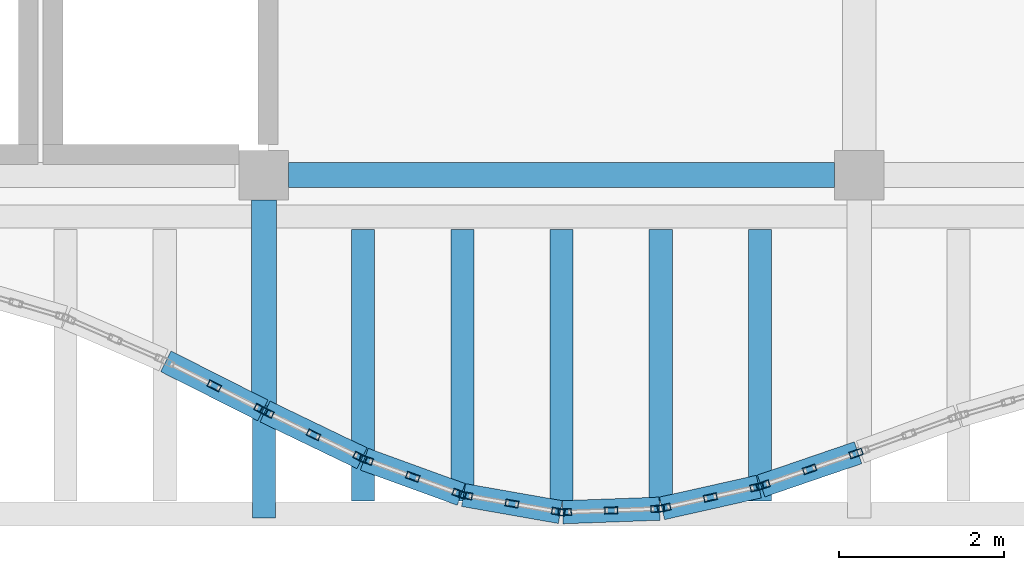
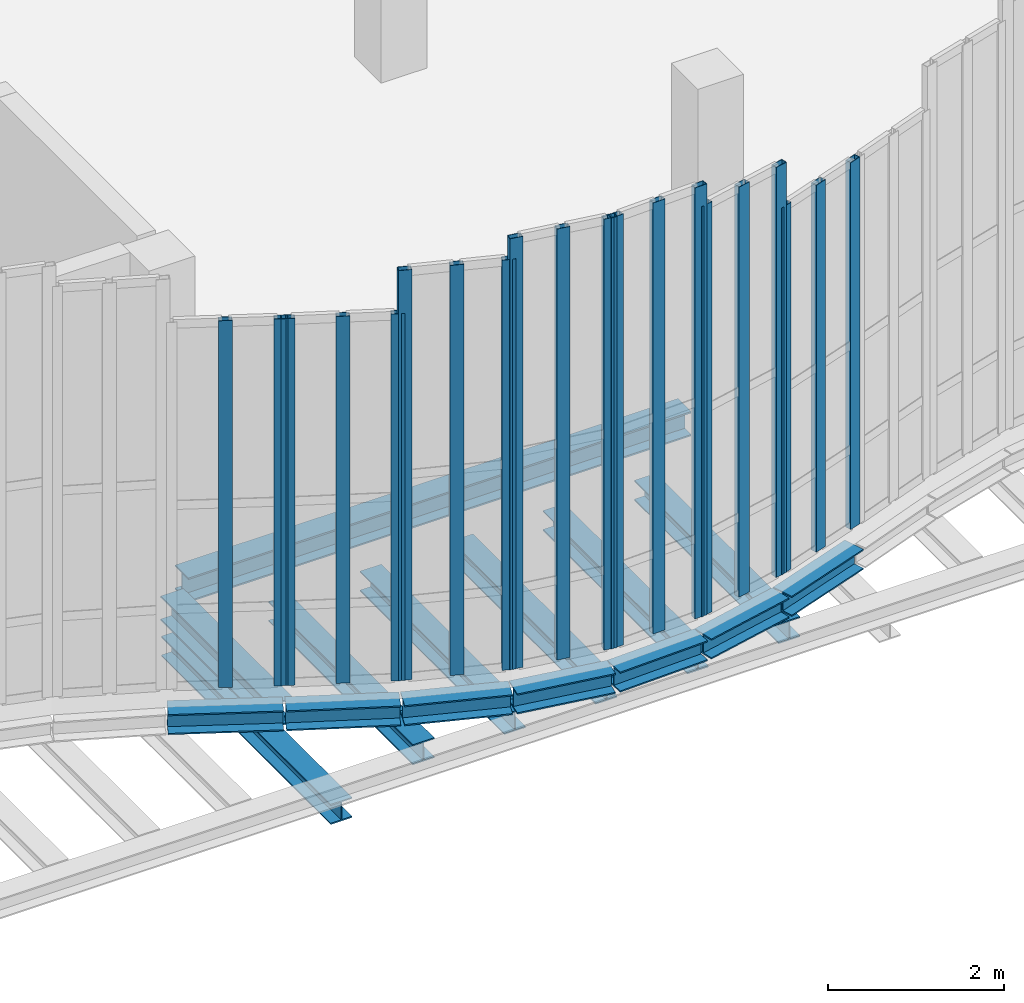
# One storey, part 15 of 76: 20 members, 15 beams, 7 elements without a shape of their own.
"""IFC4 building model written with IfcOpenShell, lengths in metres."""

from ifc_helpers import new_model, si_unit, direction, frame, origin, origin_2d, place, context, subcontext, project, spatial, hollow_rectangle, i_section, extrude, material, layer, layer_set, material_profile, profile_set, type_object, element, aggregate, save


model = new_model("IFC4")

# Units and contexts
model_context = context("Model", 3, precision=1e-05, world=origin(), true_north=direction((0.0, 1.0)))
body_context = subcontext(model_context, "Body", "Model", "MODEL_VIEW")
ifc_project = project(units=[si_unit("LENGTHUNIT", "METRE"), si_unit("AREAUNIT", "SQUARE_METRE"), si_unit("VOLUMEUNIT", "CUBIC_METRE"), si_unit("PLANEANGLEUNIT", "RADIAN"), si_unit("MASSUNIT", "GRAM", prefix="KILO"), si_unit("THERMODYNAMICTEMPERATUREUNIT", "KELVIN"), si_unit("POWERUNIT", "WATT")], contexts=[model_context])

# Site, building, storey
site_placement = place(None, origin())
site = spatial("IfcSite", under=ifc_project, at=site_placement, CompositionType="ELEMENT")
building_placement = place(site_placement, origin())
building = spatial("IfcBuilding", under=site, at=building_placement, Name="Kaldorven Railside Theatre", CompositionType="ELEMENT")
storey_placement = place(building_placement, frame((0.0, 0.0, 14.39990234375)))
storey = spatial("IfcBuildingStorey", under=building, at=storey_placement, Name="L03", CompositionType="ELEMENT", Elevation=14.39990234375)

# Beams
ifc_material_1 = material(Name="Steel S355", Category="steel")
ifc_material_profile_1 = material_profile(ifc_material_1, i_section(OverallWidth=0.280029296875, OverallDepth=0.280029296875, WebThickness=0.010498046875, FlangeThickness=0.01806640625, at=origin_2d()), Name="HEB 280")
ifc_profile_set_1 = profile_set([ifc_material_profile_1], Name="Steel S355")
beam_type_1 = type_object("IfcBeamType", Name="BM-HEB280", PredefinedType="SPANDREL", material=ifc_profile_set_1)
beam_1_placement = place(storey_placement, frame((72.800048828125, 15.050048828125, -0.97998046875), z_axis=(0.0, 1.0, 0.0), x_axis=(-1.0, 0.0, 0.0)))
element("IfcBeam", 1, at=beam_1_placement, inside=storey, type_object=beam_type_1, Name="L03 Sinusoidal Lower Cantilever Girder FOB-K031", PredefinedType="SPANDREL", context=body_context, shape_type="SweptSolid", body=[
    extrude(i_section(OverallWidth=0.280029296875, OverallDepth=0.280029296875, WebThickness=0.010498046875, FlangeThickness=0.01806640625, at=origin_2d()), origin(), (0.0, 0.0, 1.0), 3.849853515625),
])
beam_2_placement = place(storey_placement, frame((71.61328125, 16.947509765625, -0.419921875), z_axis=(0.89233799867, -0.451367805819, 0.0), x_axis=(0.451367805819, 0.89233799867, 0.0)))
element("IfcBeam", 2, at=beam_2_placement, inside=storey, type_object=beam_type_1, Name="L03 Sinusoidal Flute Edge Spandrel FSB-174", PredefinedType="SPANDREL", context=body_context, shape_type="SweptSolid", body=[
    extrude(i_section(OverallWidth=0.280029296875, OverallDepth=0.280029296875, WebThickness=0.010498046875, FlangeThickness=0.01806640625, at=origin_2d()), origin(), (0.0, 0.0, 1.0), 1.31494140625),
])
beam_3_placement = place(storey_placement, frame((72.8134765625, 16.3408203125, -0.419921875), z_axis=(0.900819751904, -0.434193245663, 0.0), x_axis=(0.434193245663, 0.900819751904, 0.0)))
element("IfcBeam", 3, at=beam_3_placement, inside=storey, type_object=beam_type_1, Name="L03 Sinusoidal Flute Edge Spandrel FSB-175", PredefinedType="SPANDREL", context=body_context, shape_type="SweptSolid", body=[
    extrude(i_section(OverallWidth=0.280029296875, OverallDepth=0.280029296875, WebThickness=0.010498046875, FlangeThickness=0.01806640625, at=origin_2d()), origin(), (0.0, 0.0, 1.0), 1.30224609375),
])
beam_4_placement = place(storey_placement, frame((74.01416015625, 15.763671875, -0.419921875), z_axis=(0.939736236854, -0.341900285382, 0.0), x_axis=(0.341900285382, 0.939736236854, 0.0)))
element("IfcBeam", 4, at=beam_4_placement, inside=storey, type_object=beam_type_1, Name="L03 Sinusoidal Flute Edge Spandrel FSB-176", PredefinedType="SPANDREL", context=body_context, shape_type="SweptSolid", body=[
    extrude(i_section(OverallWidth=0.280029296875, OverallDepth=0.280029296875, WebThickness=0.010498046875, FlangeThickness=0.01806640625, at=origin_2d()), origin(), (0.0, 0.0, 1.0), 1.246826171875),
])
beam_5_placement = place(storey_placement, frame((74.0, 15.260009765625, -0.699951171875), z_axis=(0.0, 1.0, 0.0), x_axis=(-1.0, 0.0, 0.0)))
element("IfcBeam", 5, at=beam_5_placement, inside=storey, type_object=beam_type_1, Name="L03 Sinusoidal Diaphragm Rib Outrigger FOB-M176", PredefinedType="SPANDREL", context=body_context, shape_type="SweptSolid", body=[
    extrude(i_section(OverallWidth=0.280029296875, OverallDepth=0.280029296875, WebThickness=0.010498046875, FlangeThickness=0.01806640625, at=origin_2d()), origin(), (0.0, 0.0, 1.0), 3.280029296875),
])
beam_6_placement = place(storey_placement, frame((75.21484375, 15.32958984375, -0.419921875), z_axis=(0.984888856029, -0.173187589827, 0.0), x_axis=(0.173187589827, 0.984888856029, 0.0)))
element("IfcBeam", 6, at=beam_6_placement, inside=storey, type_object=beam_type_1, Name="L03 Sinusoidal Flute Edge Spandrel FSB-177", PredefinedType="SPANDREL", context=body_context, shape_type="SweptSolid", body=[
    extrude(i_section(OverallWidth=0.280029296875, OverallDepth=0.280029296875, WebThickness=0.010498046875, FlangeThickness=0.01806640625, at=origin_2d()), origin(), (0.0, 0.0, 1.0), 1.1884765625),
])
beam_7_placement = place(storey_placement, frame((75.199951171875, 15.260009765625, -0.699951171875), z_axis=(0.0, 1.0, 0.0), x_axis=(-1.0, 0.0, 0.0)))
element("IfcBeam", 7, at=beam_7_placement, inside=storey, type_object=beam_type_1, Name="L03 Sinusoidal Diaphragm Rib Outrigger FOB-M177", PredefinedType="SPANDREL", context=body_context, shape_type="SweptSolid", body=[
    extrude(i_section(OverallWidth=0.280029296875, OverallDepth=0.280029296875, WebThickness=0.010498046875, FlangeThickness=0.01806640625, at=origin_2d()), origin(), (0.0, 0.0, 1.0), 3.280029296875),
])
beam_8_placement = place(storey_placement, frame((76.4150390625, 15.121826171875, -0.419921875), z_axis=(0.999318542443, 0.036911390236, 0.0), x_axis=(-0.036911390236, 0.999318542443, 0.0)))
element("IfcBeam", 8, at=beam_8_placement, inside=storey, type_object=beam_type_1, Name="L03 Sinusoidal Flute Edge Spandrel FSB-178", PredefinedType="SPANDREL", context=body_context, shape_type="SweptSolid", body=[
    extrude(i_section(OverallWidth=0.280029296875, OverallDepth=0.280029296875, WebThickness=0.010498046875, FlangeThickness=0.01806640625, at=origin_2d()), origin(), (0.0, 0.0, 1.0), 1.170654296875),
])
beam_9_placement = place(storey_placement, frame((76.39990234375, 15.260009765625, -0.699951171875), z_axis=(0.0, 1.0, 0.0), x_axis=(-1.0, 0.0, 0.0)))
element("IfcBeam", 9, at=beam_9_placement, inside=storey, type_object=beam_type_1, Name="L03 Sinusoidal Diaphragm Rib Outrigger FOB-M178", PredefinedType="SPANDREL", context=body_context, shape_type="SweptSolid", body=[
    extrude(i_section(OverallWidth=0.280029296875, OverallDepth=0.280029296875, WebThickness=0.010498046875, FlangeThickness=0.01806640625, at=origin_2d()), origin(), (0.0, 0.0, 1.0), 3.280029296875),
])
beam_10_placement = place(storey_placement, frame((77.614501953125, 15.1689453125, -0.419921875), z_axis=(0.975701165167, 0.219105536882, 0.0), x_axis=(-0.219105536882, 0.975701165167, 0.0)))
element("IfcBeam", 10, at=beam_10_placement, inside=storey, type_object=beam_type_1, Name="L03 Sinusoidal Flute Edge Spandrel FSB-179", PredefinedType="SPANDREL", context=body_context, shape_type="SweptSolid", body=[
    extrude(i_section(OverallWidth=0.280029296875, OverallDepth=0.280029296875, WebThickness=0.010498046875, FlangeThickness=0.01806640625, at=origin_2d()), origin(), (0.0, 0.0, 1.0), 1.199951171875),
])
beam_11_placement = place(storey_placement, frame((77.60009765625, 15.260009765625, -0.699951171875), z_axis=(0.0, 1.0, 0.0), x_axis=(-1.0, 0.0, 0.0)))
element("IfcBeam", 11, at=beam_11_placement, inside=storey, type_object=beam_type_1, Name="L03 Sinusoidal Diaphragm Rib Outrigger FOB-M179", PredefinedType="SPANDREL", context=body_context, shape_type="SweptSolid", body=[
    extrude(i_section(OverallWidth=0.280029296875, OverallDepth=0.280029296875, WebThickness=0.010498046875, FlangeThickness=0.01806640625, at=origin_2d()), origin(), (0.0, 0.0, 1.0), 3.280029296875),
])
beam_12_placement = place(storey_placement, frame((78.814208984375, 15.440185546875, -0.419921875), z_axis=(0.946028856663, 0.324082400574, 0.0), x_axis=(-0.324082400574, 0.946028856663, 0.0)))
element("IfcBeam", 12, at=beam_12_placement, inside=storey, type_object=beam_type_1, Name="L03 Sinusoidal Flute Edge Spandrel FSB-180", PredefinedType="SPANDREL", context=body_context, shape_type="SweptSolid", body=[
    extrude(i_section(OverallWidth=0.280029296875, OverallDepth=0.280029296875, WebThickness=0.010498046875, FlangeThickness=0.01806640625, at=origin_2d()), origin(), (0.0, 0.0, 1.0), 1.238525390625),
])
beam_13_placement = place(storey_placement, frame((78.800048828125, 15.260009765625, -0.699951171875), z_axis=(0.0, 1.0, 0.0), x_axis=(-1.0, 0.0, 0.0)))
element("IfcBeam", 13, at=beam_13_placement, inside=storey, type_object=beam_type_1, Name="L03 Sinusoidal Diaphragm Rib Outrigger FOB-M180", PredefinedType="SPANDREL", context=body_context, shape_type="SweptSolid", body=[
    extrude(i_section(OverallWidth=0.280029296875, OverallDepth=0.280029296875, WebThickness=0.010498046875, FlangeThickness=0.01806640625, at=origin_2d()), origin(), (0.0, 0.0, 1.0), 3.280029296875),
])
ifc_material_profile_2 = material_profile(ifc_material_1, i_section(OverallWidth=0.300048828125, OverallDepth=0.340087890625, WebThickness=0.011962890625, FlangeThickness=0.021484375, at=origin_2d()), Name="HEB 340")
ifc_profile_set_2 = profile_set([ifc_material_profile_2], Name="Steel S355")
beam_type_2 = type_object("IfcBeamType", Name="BM-HEB340", PredefinedType="SPANDREL", material=ifc_profile_set_2)
beam_14_placement = place(storey_placement, frame((73.10009765625, 19.199951171875, -0.449951171875), z_axis=(1.0, 0.0, 0.0), x_axis=(0.0, 1.0, 0.0)))
element("IfcBeam", 14, at=beam_14_placement, inside=storey, type_object=beam_type_2, Name="L03 Girder BGX-L03-072-019", PredefinedType="SPANDREL", context=body_context, shape_type="SweptSolid", body=[
    extrude(i_section(OverallWidth=0.300048828125, OverallDepth=0.340087890625, WebThickness=0.011962890625, FlangeThickness=0.021484375, at=origin_2d()), origin(), (0.0, 0.0, 1.0), 6.599853515625),
])
beam_15_placement = place(storey_placement, frame((72.800048828125, 16.4072265625, -0.449951171875), z_axis=(0.0, 1.0, 0.0), x_axis=(-1.0, 0.0, 0.0)))
element("IfcBeam", 15, at=beam_15_placement, inside=storey, type_object=beam_type_2, Name="L03 Sinusoidal Veil Outrigger FOB-3072", PredefinedType="SPANDREL", context=body_context, shape_type="SweptSolid", body=[
    extrude(i_section(OverallWidth=0.300048828125, OverallDepth=0.340087890625, WebThickness=0.011962890625, FlangeThickness=0.021484375, at=origin_2d()), origin(), (0.0, 0.0, 1.0), 2.49267578125),
])

# Curtain wall, members
ifc_material_2 = material(Name="Low-E laminated solar-control glass", Category="glass")
ifc_layer_1 = layer(ifc_material_2, 0.159912109375, Name="Low-E laminated solar-control glass")
ifc_layer_set_1 = layer_set([ifc_layer_1], Name="Low-E laminated solar-control glass")
curtain_wall_type_1 = type_object("IfcCurtainWallType", Name="CWT-13", PredefinedType="USERDEFINED", material=ifc_layer_set_1)
curtain_wall_1_placement = place(storey_placement, origin())
curtain_wall_1 = element("IfcCurtainWall", 16, at=curtain_wall_1_placement, inside=storey, type_object=curtain_wall_type_1, Name="Sinusoidal Fluted Curtain Wall CW-L03-S30", ObjectType="FLUTED GLAZING", PredefinedType="USERDEFINED")
ifc_material_3 = material(Name="Anodised bronze aluminium", Category="aluminium")
ifc_material_profile_3 = material_profile(ifc_material_3, hollow_rectangle(XDim=0.080078125, YDim=0.159912109375, WallThickness=0.00634765625, at=origin_2d()), Name="RHS 160x80x6.3")
ifc_profile_set_3 = profile_set([ifc_material_profile_3], Name="Anodised bronze aluminium")
member_type = type_object("IfcMemberType", Name="CWM-160", PredefinedType="MULLION", material=ifc_profile_set_3)
member_1_placement = place(storey_placement, frame((72.199951171875, 16.65087890625, 0.0), z_axis=(0.0, 0.0, 1.0), x_axis=(0.451432188451, 0.89230542934, 0.0)))
member_1 = element("IfcMember", 17, at=member_1_placement, type_object=member_type, Name="CW-L03-S30 mullion 2", PredefinedType="MULLION", context=body_context, shape_type="SweptSolid", body=[
    extrude(hollow_rectangle(XDim=0.080078125, YDim=0.159912109375, WallThickness=0.00634765625, at=origin_2d()), origin(), (0.0, 0.0, 1.0), 5.090087890625),
])
member_2_placement = place(storey_placement, frame((72.764404296875, 16.365478515625, 0.0), z_axis=(0.0, 0.0, 1.0), x_axis=(0.451432188451, 0.89230542934, 0.0)))
member_2 = element("IfcMember", 18, at=member_2_placement, type_object=member_type, Name="CW-L03-S30 mullion 3", PredefinedType="MULLION", context=body_context, shape_type="SweptSolid", body=[
    extrude(hollow_rectangle(XDim=0.080078125, YDim=0.159912109375, WallThickness=0.00634765625, at=origin_2d()), origin(), (0.0, 0.0, 1.0), 5.090087890625),
])
aggregate(curtain_wall_1, [member_1, member_2])

curtain_wall_2_placement = place(storey_placement, origin())
curtain_wall_2 = element("IfcCurtainWall", 19, at=curtain_wall_2_placement, inside=storey, type_object=curtain_wall_type_1, Name="Sinusoidal Fluted Curtain Wall CW-L03-S31", ObjectType="FLUTED GLAZING", PredefinedType="USERDEFINED")
member_3_placement = place(storey_placement, frame((72.8359375, 16.329833984375, 0.0), z_axis=(0.0, 0.0, 1.0), x_axis=(0.434255680006, 0.900789656015, 0.0)))
member_3 = element("IfcMember", 20, at=member_3_placement, type_object=member_type, Name="CW-L03-S31 mullion 1", PredefinedType="MULLION", context=body_context, shape_type="SweptSolid", body=[
    extrude(hollow_rectangle(XDim=0.080078125, YDim=0.159912109375, WallThickness=0.00634765625, at=origin_2d()), origin(), (0.0, 0.0, 1.0), 5.090087890625),
])
member_4_placement = place(storey_placement, frame((73.39990234375, 16.05810546875, 0.0), z_axis=(0.0, 0.0, 1.0), x_axis=(0.434255680006, 0.900789656015, 0.0)))
member_4 = element("IfcMember", 21, at=member_4_placement, type_object=member_type, Name="CW-L03-S31 mullion 2", PredefinedType="MULLION", context=body_context, shape_type="SweptSolid", body=[
    extrude(hollow_rectangle(XDim=0.080078125, YDim=0.159912109375, WallThickness=0.00634765625, at=origin_2d()), origin(), (0.0, 0.0, 1.0), 5.090087890625),
])
member_5_placement = place(storey_placement, frame((73.9638671875, 15.7861328125, 0.0), z_axis=(0.0, 0.0, 1.0), x_axis=(0.434255680006, 0.900789656015, 0.0)))
member_5 = element("IfcMember", 22, at=member_5_placement, type_object=member_type, Name="CW-L03-S31 mullion 3", PredefinedType="MULLION", context=body_context, shape_type="SweptSolid", body=[
    extrude(hollow_rectangle(XDim=0.080078125, YDim=0.159912109375, WallThickness=0.00634765625, at=origin_2d()), origin(), (0.0, 0.0, 1.0), 5.090087890625),
])
aggregate(curtain_wall_2, [member_3, member_4, member_5])

ifc_layer_2 = layer(ifc_material_2, 0.159912109375, Name="Low-E laminated solar-control glass")
ifc_layer_set_2 = layer_set([ifc_layer_2], Name="Low-E laminated solar-control glass")
curtain_wall_type_2 = type_object("IfcCurtainWallType", Name="CWT-14", PredefinedType="USERDEFINED", material=ifc_layer_set_2)
curtain_wall_3_placement = place(storey_placement, origin())
curtain_wall_3 = element("IfcCurtainWall", 23, at=curtain_wall_3_placement, inside=storey, type_object=curtain_wall_type_2, Name="Sinusoidal Fluted Curtain Wall CW-L03-S32", ObjectType="FLUTED GLAZING", PredefinedType="USERDEFINED")
member_6_placement = place(storey_placement, frame((74.03759765625, 15.755126953125, 0.0), z_axis=(0.0, 0.0, 1.0), x_axis=(0.341837380258, 0.939759120976, 0.0)))
member_6 = element("IfcMember", 24, at=member_6_placement, type_object=member_type, Name="CW-L03-S32 mullion 1", PredefinedType="MULLION", context=body_context, shape_type="SweptSolid", body=[
    extrude(hollow_rectangle(XDim=0.080078125, YDim=0.159912109375, WallThickness=0.00634765625, at=origin_2d()), origin(), (0.0, 0.0, 1.0), 5.690185546875),
])
member_7_placement = place(storey_placement, frame((74.60009765625, 15.550537109375, 0.0), z_axis=(0.0, 0.0, 1.0), x_axis=(0.341837380258, 0.939759120976, 0.0)))
member_7 = element("IfcMember", 25, at=member_7_placement, type_object=member_type, Name="CW-L03-S32 mullion 2", PredefinedType="MULLION", context=body_context, shape_type="SweptSolid", body=[
    extrude(hollow_rectangle(XDim=0.080078125, YDim=0.159912109375, WallThickness=0.00634765625, at=origin_2d()), origin(), (0.0, 0.0, 1.0), 5.690185546875),
])
member_8_placement = place(storey_placement, frame((75.162353515625, 15.345947265625, 0.0), z_axis=(0.0, 0.0, 1.0), x_axis=(0.341837380258, 0.939759120976, 0.0)))
member_8 = element("IfcMember", 26, at=member_8_placement, type_object=member_type, Name="CW-L03-S32 mullion 3", PredefinedType="MULLION", context=body_context, shape_type="SweptSolid", body=[
    extrude(hollow_rectangle(XDim=0.080078125, YDim=0.159912109375, WallThickness=0.00634765625, at=origin_2d()), origin(), (0.0, 0.0, 1.0), 5.690185546875),
])
aggregate(curtain_wall_3, [member_6, member_7, member_8])

ifc_layer_3 = layer(ifc_material_2, 0.159912109375, Name="Low-E laminated solar-control glass")
ifc_layer_set_3 = layer_set([ifc_layer_3], Name="Low-E laminated solar-control glass")
curtain_wall_type_3 = type_object("IfcCurtainWallType", Name="CWT-15", PredefinedType="USERDEFINED", material=ifc_layer_set_3)
curtain_wall_4_placement = place(storey_placement, origin())
curtain_wall_4 = element("IfcCurtainWall", 27, at=curtain_wall_4_placement, inside=storey, type_object=curtain_wall_type_3, Name="Sinusoidal Fluted Curtain Wall CW-L03-S33", ObjectType="FLUTED GLAZING", PredefinedType="USERDEFINED")
member_9_placement = place(storey_placement, frame((75.239501953125, 15.325439453125, 0.0), z_axis=(0.0, 0.0, 1.0), x_axis=(0.173256240507, 0.984876781697, 0.0)))
member_9 = element("IfcMember", 28, at=member_9_placement, type_object=member_type, Name="CW-L03-S33 mullion 1", PredefinedType="MULLION", context=body_context, shape_type="SweptSolid", body=[
    extrude(hollow_rectangle(XDim=0.080078125, YDim=0.159912109375, WallThickness=0.00634765625, at=origin_2d()), origin(), (0.0, 0.0, 1.0), 5.97998046875),
])
member_10_placement = place(storey_placement, frame((75.800048828125, 15.226806640625, 0.0), z_axis=(0.0, 0.0, 1.0), x_axis=(0.173256240507, 0.984876781697, 0.0)))
member_10 = element("IfcMember", 29, at=member_10_placement, type_object=member_type, Name="CW-L03-S33 mullion 2", PredefinedType="MULLION", context=body_context, shape_type="SweptSolid", body=[
    extrude(hollow_rectangle(XDim=0.080078125, YDim=0.159912109375, WallThickness=0.00634765625, at=origin_2d()), origin(), (0.0, 0.0, 1.0), 5.97998046875),
])
member_11_placement = place(storey_placement, frame((76.360595703125, 15.128173828125, 0.0), z_axis=(0.0, 0.0, 1.0), x_axis=(0.173256240507, 0.984876781697, 0.0)))
member_11 = element("IfcMember", 30, at=member_11_placement, type_object=member_type, Name="CW-L03-S33 mullion 3", PredefinedType="MULLION", context=body_context, shape_type="SweptSolid", body=[
    extrude(hollow_rectangle(XDim=0.080078125, YDim=0.159912109375, WallThickness=0.00634765625, at=origin_2d()), origin(), (0.0, 0.0, 1.0), 5.97998046875),
])
aggregate(curtain_wall_4, [member_9, member_10, member_11])

ifc_layer_4 = layer(ifc_material_2, 0.159912109375, Name="Low-E laminated solar-control glass")
ifc_layer_set_4 = layer_set([ifc_layer_4], Name="Low-E laminated solar-control glass")
curtain_wall_type_4 = type_object("IfcCurtainWallType", Name="CWT-10", PredefinedType="USERDEFINED", material=ifc_layer_set_4)
curtain_wall_5_placement = place(storey_placement, origin())
curtain_wall_5 = element("IfcCurtainWall", 31, at=curtain_wall_5_placement, inside=storey, type_object=curtain_wall_type_4, Name="Sinusoidal Fluted Curtain Wall CW-L03-S34", ObjectType="FLUTED GLAZING", PredefinedType="USERDEFINED")
member_12_placement = place(storey_placement, frame((76.43994140625, 15.122802734375, 0.0), z_axis=(0.0, 0.0, 1.0), x_axis=(-0.037057861594, 0.999313121546, 0.0)))
member_12 = element("IfcMember", 32, at=member_12_placement, type_object=member_type, Name="CW-L03-S34 mullion 1", PredefinedType="MULLION", context=body_context, shape_type="SweptSolid", body=[
    extrude(hollow_rectangle(XDim=0.080078125, YDim=0.159912109375, WallThickness=0.00634765625, at=origin_2d()), origin(), (0.0, 0.0, 1.0), 5.97998046875),
])
member_13_placement = place(storey_placement, frame((77.0, 15.1435546875, 0.0), z_axis=(0.0, 0.0, 1.0), x_axis=(-0.037057861594, 0.999313121546, 0.0)))
member_13 = element("IfcMember", 33, at=member_13_placement, type_object=member_type, Name="CW-L03-S34 mullion 2", PredefinedType="MULLION", context=body_context, shape_type="SweptSolid", body=[
    extrude(hollow_rectangle(XDim=0.080078125, YDim=0.159912109375, WallThickness=0.00634765625, at=origin_2d()), origin(), (0.0, 0.0, 1.0), 5.97998046875),
])
member_14_placement = place(storey_placement, frame((77.56005859375, 15.164306640625, 0.0), z_axis=(0.0, 0.0, 1.0), x_axis=(-0.037057861594, 0.999313121546, 0.0)))
member_14 = element("IfcMember", 34, at=member_14_placement, type_object=member_type, Name="CW-L03-S34 mullion 3", PredefinedType="MULLION", context=body_context, shape_type="SweptSolid", body=[
    extrude(hollow_rectangle(XDim=0.080078125, YDim=0.159912109375, WallThickness=0.00634765625, at=origin_2d()), origin(), (0.0, 0.0, 1.0), 5.97998046875),
])
aggregate(curtain_wall_5, [member_12, member_13, member_14])

ifc_layer_5 = layer(ifc_material_2, 0.159912109375, Name="Low-E laminated solar-control glass")
ifc_layer_set_5 = layer_set([ifc_layer_5], Name="Low-E laminated solar-control glass")
curtain_wall_type_5 = type_object("IfcCurtainWallType", Name="CWT-09", PredefinedType="USERDEFINED", material=ifc_layer_set_5)
curtain_wall_6_placement = place(storey_placement, origin())
curtain_wall_6 = element("IfcCurtainWall", 35, at=curtain_wall_6_placement, inside=storey, type_object=curtain_wall_type_5, Name="Sinusoidal Fluted Curtain Wall CW-L03-S35", ObjectType="FLUTED GLAZING", PredefinedType="USERDEFINED")
member_15_placement = place(storey_placement, frame((77.638916015625, 15.174560546875, 0.0), z_axis=(0.0, 0.0, 1.0), x_axis=(-0.219202628857, 0.975679356911, 0.0)))
member_15 = element("IfcMember", 36, at=member_15_placement, type_object=member_type, Name="CW-L03-S35 mullion 1", PredefinedType="MULLION", context=body_context, shape_type="SweptSolid", body=[
    extrude(hollow_rectangle(XDim=0.080078125, YDim=0.159912109375, WallThickness=0.00634765625, at=origin_2d()), origin(), (0.0, 0.0, 1.0), 5.690185546875),
])
member_16_placement = place(storey_placement, frame((78.199951171875, 15.300537109375, 0.0), z_axis=(0.0, 0.0, 1.0), x_axis=(-0.219202628857, 0.975679356911, 0.0)))
member_16 = element("IfcMember", 37, at=member_16_placement, type_object=member_type, Name="CW-L03-S35 mullion 2", PredefinedType="MULLION", context=body_context, shape_type="SweptSolid", body=[
    extrude(hollow_rectangle(XDim=0.080078125, YDim=0.159912109375, WallThickness=0.00634765625, at=origin_2d()), origin(), (0.0, 0.0, 1.0), 5.690185546875),
])
member_17_placement = place(storey_placement, frame((78.760986328125, 15.426513671875, 0.0), z_axis=(0.0, 0.0, 1.0), x_axis=(-0.219202628857, 0.975679356911, 0.0)))
member_17 = element("IfcMember", 38, at=member_17_placement, type_object=member_type, Name="CW-L03-S35 mullion 3", PredefinedType="MULLION", context=body_context, shape_type="SweptSolid", body=[
    extrude(hollow_rectangle(XDim=0.080078125, YDim=0.159912109375, WallThickness=0.00634765625, at=origin_2d()), origin(), (0.0, 0.0, 1.0), 5.690185546875),
])
aggregate(curtain_wall_6, [member_15, member_16, member_17])

ifc_layer_6 = layer(ifc_material_2, 0.159912109375, Name="Low-E laminated solar-control glass")
ifc_layer_set_6 = layer_set([ifc_layer_6], Name="Low-E laminated solar-control glass")
curtain_wall_type_6 = type_object("IfcCurtainWallType", Name="CWT-16", PredefinedType="USERDEFINED", material=ifc_layer_set_6)
curtain_wall_7_placement = place(storey_placement, origin())
curtain_wall_7 = element("IfcCurtainWall", 39, at=curtain_wall_7_placement, inside=storey, type_object=curtain_wall_type_6, Name="Sinusoidal Fluted Curtain Wall CW-L03-S36", ObjectType="FLUTED GLAZING", PredefinedType="USERDEFINED")
member_18_placement = place(storey_placement, frame((78.837890625, 15.4482421875, 0.0), z_axis=(0.0, 0.0, 1.0), x_axis=(-0.324092530311, 0.946025386444, 0.0)))
member_18 = element("IfcMember", 40, at=member_18_placement, type_object=member_type, Name="CW-L03-S36 mullion 1", PredefinedType="MULLION", context=body_context, shape_type="SweptSolid", body=[
    extrude(hollow_rectangle(XDim=0.080078125, YDim=0.159912109375, WallThickness=0.00634765625, at=origin_2d()), origin(), (0.0, 0.0, 1.0), 5.090087890625),
])
member_19_placement = place(storey_placement, frame((79.39990234375, 15.640869140625, 0.0), z_axis=(0.0, 0.0, 1.0), x_axis=(-0.324092530311, 0.946025386444, 0.0)))
member_19 = element("IfcMember", 41, at=member_19_placement, type_object=member_type, Name="CW-L03-S36 mullion 2", PredefinedType="MULLION", context=body_context, shape_type="SweptSolid", body=[
    extrude(hollow_rectangle(XDim=0.080078125, YDim=0.159912109375, WallThickness=0.00634765625, at=origin_2d()), origin(), (0.0, 0.0, 1.0), 5.090087890625),
])
member_20_placement = place(storey_placement, frame((79.962158203125, 15.83349609375, 0.0), z_axis=(0.0, 0.0, 1.0), x_axis=(-0.324092530311, 0.946025386444, 0.0)))
member_20 = element("IfcMember", 42, at=member_20_placement, type_object=member_type, Name="CW-L03-S36 mullion 3", PredefinedType="MULLION", context=body_context, shape_type="SweptSolid", body=[
    extrude(hollow_rectangle(XDim=0.080078125, YDim=0.159912109375, WallThickness=0.00634765625, at=origin_2d()), origin(), (0.0, 0.0, 1.0), 5.090087890625),
])
aggregate(curtain_wall_7, [member_18, member_19, member_20])

save(model, "model.ifc")
